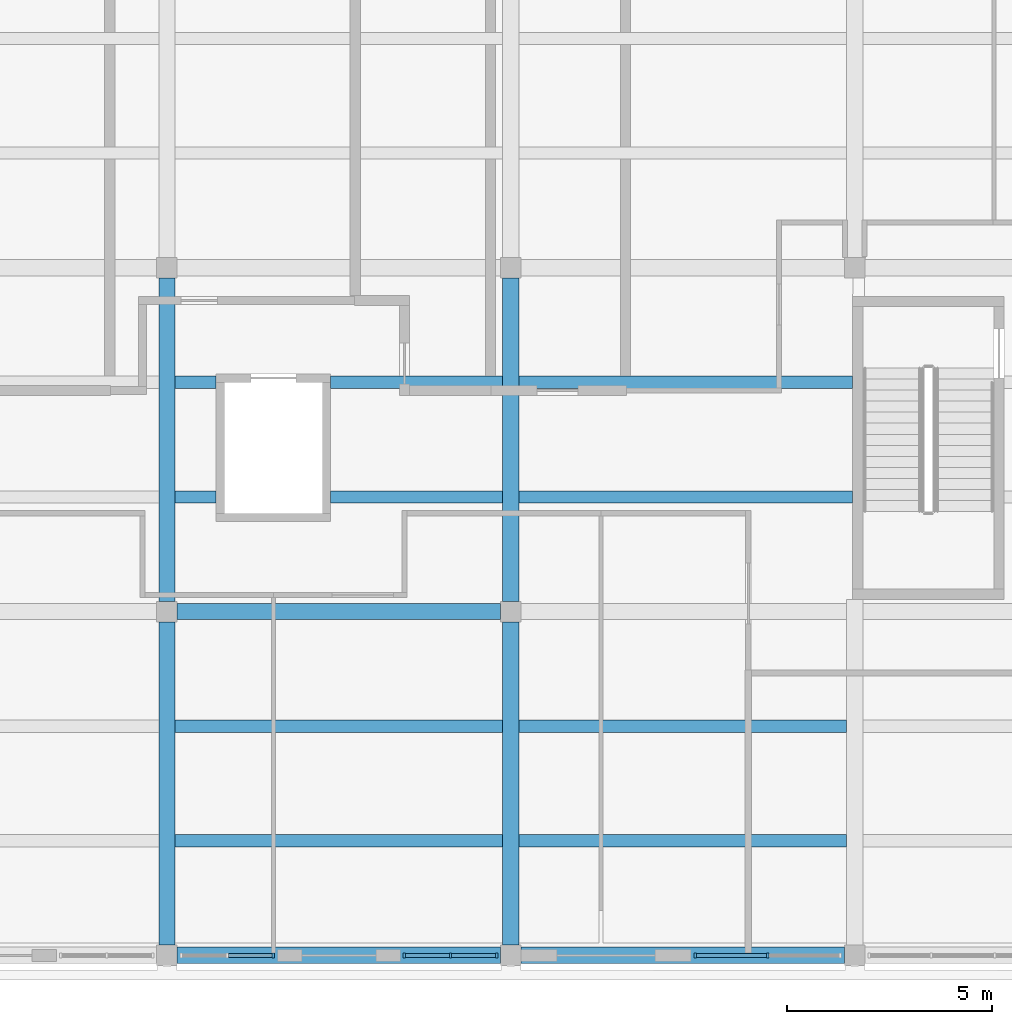
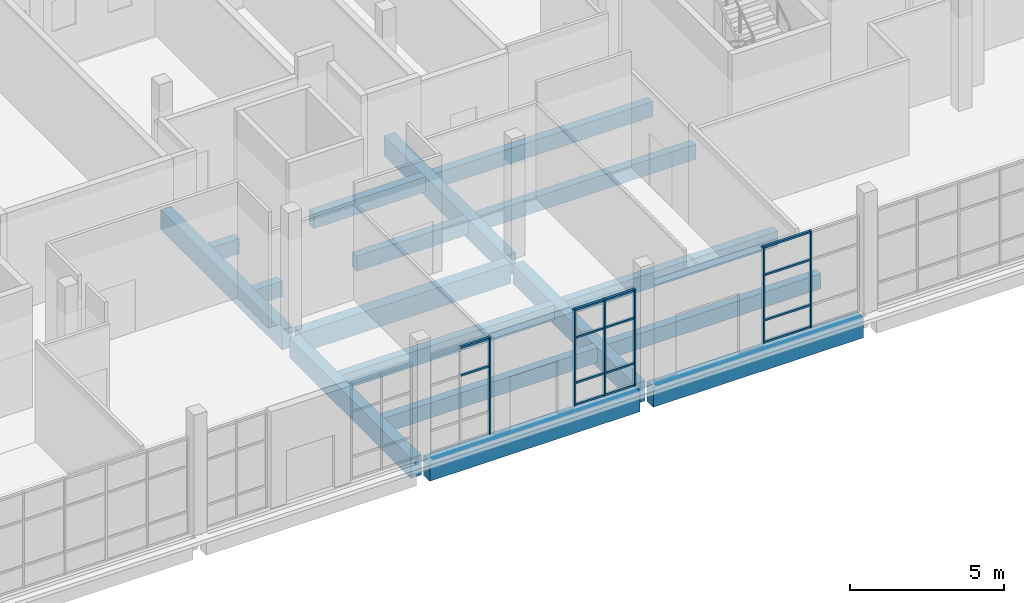
# One storey, part 7 of 110: 20 members, 17 beams, 3 elements without a shape of their own.
"""IFC4 building model written with IfcOpenShell, lengths in metres."""

from ifc_helpers import new_model, si_unit, direction, frame, origin, origin_2d, place, context, subcontext, project, spatial, rectangle, extrude, material, layer, layer_set, material_profile, profile_set, type_object, element, aggregate, save


model = new_model("IFC4")

# Units and contexts
model_context = context("Model", 3, precision=1e-05, world=origin(), true_north=direction((0.0, 1.0)))
body_context = subcontext(model_context, "Body", "Model", "MODEL_VIEW")
ifc_project = project(units=[si_unit("LENGTHUNIT", "METRE"), si_unit("AREAUNIT", "SQUARE_METRE"), si_unit("VOLUMEUNIT", "CUBIC_METRE"), si_unit("PLANEANGLEUNIT", "RADIAN"), si_unit("MASSUNIT", "GRAM", prefix="KILO")], contexts=[model_context])

# Site, building, storey
site_placement = place(None, origin())
site = spatial("IfcSite", under=ifc_project, at=site_placement, CompositionType="ELEMENT")
building_placement = place(site_placement, origin())
building = spatial("IfcBuilding", under=site, at=building_placement, Name="Larchfold Concert Hall", CompositionType="ELEMENT")
storey_placement = place(building_placement, origin())
storey = spatial("IfcBuildingStorey", under=building, at=storey_placement, Name="L00", CompositionType="ELEMENT", Elevation=0.0)

# Curtain wall, member
ifc_material_1 = material(Name="Anodised graphite aluminium curtain wall", Category="aluminium")
ifc_layer = layer(ifc_material_1, 0.1201171875)
ifc_layer_set = layer_set([ifc_layer], Name="Anodised graphite aluminium curtain wall")
curtain_wall_type = type_object("IfcCurtainWallType", Name="Curtain wall SF", PredefinedType="NOTDEFINED", material=ifc_layer_set)
curtain_wall_1_placement = place(storey_placement, origin())
curtain_wall_1 = element("IfcCurtainWall", 1, at=curtain_wall_1_placement, inside=storey, type_object=curtain_wall_type, Name="Curtain wall CW0297", PredefinedType="NOTDEFINED")
ifc_material_2 = material(Name="Anodised graphite aluminium mullion", Category="aluminium")
ifc_material_profile_1 = material_profile(ifc_material_2, rectangle(XDim=0.1201171875, YDim=0.06005859375, at=origin_2d()))
ifc_profile_set_1 = profile_set([ifc_material_profile_1], Name="Anodised graphite aluminium mullion")
member_type_1 = type_object("IfcMemberType", Name="Aluminium mullion 60x120", PredefinedType="MULLION", material=ifc_profile_set_1)
member_1_placement = place(storey_placement, frame((20.0, 0.60009765625, 0.0), z_axis=(0.0, 0.0, 1.0), x_axis=(0.0, 1.0, 0.0)))
member_1 = element("IfcMember", 2, at=member_1_placement, type_object=member_type_1, Name="CW0297 mullion 3", PredefinedType="MULLION", context=body_context, shape_type="SweptSolid", body=[
    extrude(rectangle(XDim=0.1201171875, YDim=0.06005859375, at=origin_2d()), origin(), (0.0, 0.0, 1.0), 3.840087890625),
])

# Curtain wall, members
curtain_wall_2_placement = place(storey_placement, origin())
curtain_wall_2 = element("IfcCurtainWall", 3, at=curtain_wall_2_placement, inside=storey, type_object=curtain_wall_type, Name="Curtain wall CW0298", PredefinedType="NOTDEFINED")
member_2_placement = place(storey_placement, frame((23.2001953125, 0.60009765625, 0.0), z_axis=(0.0, 0.0, 1.0), x_axis=(0.0, 1.0, 0.0)))
member_2 = element("IfcMember", 4, at=member_2_placement, type_object=member_type_1, Name="CW0298 mullion 1", PredefinedType="MULLION", context=body_context, shape_type="SweptSolid", body=[
    extrude(rectangle(XDim=0.1201171875, YDim=0.06005859375, at=origin_2d()), origin(), (0.0, 0.0, 1.0), 3.840087890625),
])
member_3_placement = place(storey_placement, frame((24.3251953125, 0.60009765625, 0.0), z_axis=(0.0, 0.0, 1.0), x_axis=(0.0, 1.0, 0.0)))
member_3 = element("IfcMember", 5, at=member_3_placement, type_object=member_type_1, Name="CW0298 mullion 2", PredefinedType="MULLION", context=body_context, shape_type="SweptSolid", body=[
    extrude(rectangle(XDim=0.1201171875, YDim=0.06005859375, at=origin_2d()), origin(), (0.0, 0.0, 1.0), 3.840087890625),
])
member_4_placement = place(storey_placement, frame((25.449951171875, 0.60009765625, 0.0), z_axis=(0.0, 0.0, 1.0), x_axis=(0.0, 1.0, 0.0)))
member_4 = element("IfcMember", 6, at=member_4_placement, type_object=member_type_1, Name="CW0298 mullion 3", PredefinedType="MULLION", context=body_context, shape_type="SweptSolid", body=[
    extrude(rectangle(XDim=0.1201171875, YDim=0.06005859375, at=origin_2d()), origin(), (0.0, 0.0, 1.0), 3.840087890625),
])

curtain_wall_3_placement = place(storey_placement, origin())
curtain_wall_3 = element("IfcCurtainWall", 7, at=curtain_wall_3_placement, inside=storey, type_object=curtain_wall_type, Name="Curtain wall CW0299", PredefinedType="NOTDEFINED")
member_5_placement = place(storey_placement, frame((30.300048828125, 0.60009765625, 0.0), z_axis=(0.0, 0.0, 1.0), x_axis=(0.0, 1.0, 0.0)))
member_5 = element("IfcMember", 8, at=member_5_placement, type_object=member_type_1, Name="CW0299 mullion 1", PredefinedType="MULLION", context=body_context, shape_type="SweptSolid", body=[
    extrude(rectangle(XDim=0.1201171875, YDim=0.06005859375, at=origin_2d()), origin(), (0.0, 0.0, 1.0), 3.840087890625),
])
member_6_placement = place(storey_placement, frame((32.074951171875, 0.60009765625, 0.0), z_axis=(0.0, 0.0, 1.0), x_axis=(0.0, 1.0, 0.0)))
member_6 = element("IfcMember", 9, at=member_6_placement, type_object=member_type_1, Name="CW0299 mullion 2", PredefinedType="MULLION", context=body_context, shape_type="SweptSolid", body=[
    extrude(rectangle(XDim=0.1201171875, YDim=0.06005859375, at=origin_2d()), origin(), (0.0, 0.0, 1.0), 3.840087890625),
])

# Member
ifc_material_3 = material(Name="Anodised graphite aluminium transom", Category="aluminium")
ifc_material_profile_2 = material_profile(ifc_material_3, rectangle(XDim=0.090087890625, YDim=0.070068359375, at=origin_2d()))
ifc_profile_set_2 = profile_set([ifc_material_profile_2], Name="Anodised graphite aluminium transom")
member_type_2 = type_object("IfcMemberType", Name="Aluminium transom 70x90", PredefinedType="USERDEFINED", material=ifc_profile_set_2)
member_7_placement = place(storey_placement, frame((18.905029296875, 0.60009765625, 2.699951171875), z_axis=(1.0, 0.0, 0.0), x_axis=(0.0, 1.0, 0.0)))
member_7 = element("IfcMember", 10, at=member_7_placement, type_object=member_type_2, Name="CW0297 transom 2.3", ObjectType="TRANSOM", PredefinedType="USERDEFINED", context=body_context, shape_type="SweptSolid", body=[
    extrude(rectangle(XDim=0.090087890625, YDim=0.070068359375, at=origin_2d()), origin(), (0.0, 0.0, 1.0), 1.06494140625),
])

member_8_placement = place(storey_placement, frame((18.905029296875, 0.60009765625, 3.80517578125), z_axis=(1.0, 0.0, 0.0), x_axis=(0.0, 1.0, 0.0)))
member_8 = element("IfcMember", 11, at=member_8_placement, type_object=member_type_2, Name="CW0297 transom 2.4", ObjectType="TRANSOM", PredefinedType="USERDEFINED", context=body_context, shape_type="SweptSolid", body=[
    extrude(rectangle(XDim=0.090087890625, YDim=0.070068359375, at=origin_2d()), origin(), (0.0, 0.0, 1.0), 1.06494140625),
])

aggregate(curtain_wall_1, [member_1, member_7, member_8])

member_9_placement = place(storey_placement, frame((23.230224609375, 0.60009765625, 0.034912109375), z_axis=(1.0, 0.0, 0.0), x_axis=(0.0, 1.0, 0.0)))
member_9 = element("IfcMember", 12, at=member_9_placement, type_object=member_type_2, Name="CW0298 transom 1.1", ObjectType="TRANSOM", PredefinedType="USERDEFINED", context=body_context, shape_type="SweptSolid", body=[
    extrude(rectangle(XDim=0.090087890625, YDim=0.070068359375, at=origin_2d()), origin(), (0.0, 0.0, 1.0), 1.06494140625),
])

member_10_placement = place(storey_placement, frame((23.230224609375, 0.60009765625, 0.89990234375), z_axis=(1.0, 0.0, 0.0), x_axis=(0.0, 1.0, 0.0)))
member_10 = element("IfcMember", 13, at=member_10_placement, type_object=member_type_2, Name="CW0298 transom 1.2", ObjectType="TRANSOM", PredefinedType="USERDEFINED", context=body_context, shape_type="SweptSolid", body=[
    extrude(rectangle(XDim=0.090087890625, YDim=0.070068359375, at=origin_2d()), origin(), (0.0, 0.0, 1.0), 1.06494140625),
])

member_11_placement = place(storey_placement, frame((23.230224609375, 0.60009765625, 2.699951171875), z_axis=(1.0, 0.0, 0.0), x_axis=(0.0, 1.0, 0.0)))
member_11 = element("IfcMember", 14, at=member_11_placement, type_object=member_type_2, Name="CW0298 transom 1.3", ObjectType="TRANSOM", PredefinedType="USERDEFINED", context=body_context, shape_type="SweptSolid", body=[
    extrude(rectangle(XDim=0.090087890625, YDim=0.070068359375, at=origin_2d()), origin(), (0.0, 0.0, 1.0), 1.06494140625),
])

member_12_placement = place(storey_placement, frame((23.230224609375, 0.60009765625, 3.80517578125), z_axis=(1.0, 0.0, 0.0), x_axis=(0.0, 1.0, 0.0)))
member_12 = element("IfcMember", 15, at=member_12_placement, type_object=member_type_2, Name="CW0298 transom 1.4", ObjectType="TRANSOM", PredefinedType="USERDEFINED", context=body_context, shape_type="SweptSolid", body=[
    extrude(rectangle(XDim=0.090087890625, YDim=0.070068359375, at=origin_2d()), origin(), (0.0, 0.0, 1.0), 1.06494140625),
])

member_13_placement = place(storey_placement, frame((24.35498046875, 0.60009765625, 0.034912109375), z_axis=(1.0, 0.0, 0.0), x_axis=(0.0, 1.0, 0.0)))
member_13 = element("IfcMember", 16, at=member_13_placement, type_object=member_type_2, Name="CW0298 transom 2.1", ObjectType="TRANSOM", PredefinedType="USERDEFINED", context=body_context, shape_type="SweptSolid", body=[
    extrude(rectangle(XDim=0.090087890625, YDim=0.070068359375, at=origin_2d()), origin(), (0.0, 0.0, 1.0), 1.06494140625),
])

member_14_placement = place(storey_placement, frame((24.35498046875, 0.60009765625, 0.89990234375), z_axis=(1.0, 0.0, 0.0), x_axis=(0.0, 1.0, 0.0)))
member_14 = element("IfcMember", 17, at=member_14_placement, type_object=member_type_2, Name="CW0298 transom 2.2", ObjectType="TRANSOM", PredefinedType="USERDEFINED", context=body_context, shape_type="SweptSolid", body=[
    extrude(rectangle(XDim=0.090087890625, YDim=0.070068359375, at=origin_2d()), origin(), (0.0, 0.0, 1.0), 1.06494140625),
])

member_15_placement = place(storey_placement, frame((24.35498046875, 0.60009765625, 2.699951171875), z_axis=(1.0, 0.0, 0.0), x_axis=(0.0, 1.0, 0.0)))
member_15 = element("IfcMember", 18, at=member_15_placement, type_object=member_type_2, Name="CW0298 transom 2.3", ObjectType="TRANSOM", PredefinedType="USERDEFINED", context=body_context, shape_type="SweptSolid", body=[
    extrude(rectangle(XDim=0.090087890625, YDim=0.070068359375, at=origin_2d()), origin(), (0.0, 0.0, 1.0), 1.06494140625),
])

member_16_placement = place(storey_placement, frame((24.35498046875, 0.60009765625, 3.80517578125), z_axis=(1.0, 0.0, 0.0), x_axis=(0.0, 1.0, 0.0)))
member_16 = element("IfcMember", 19, at=member_16_placement, type_object=member_type_2, Name="CW0298 transom 2.4", ObjectType="TRANSOM", PredefinedType="USERDEFINED", context=body_context, shape_type="SweptSolid", body=[
    extrude(rectangle(XDim=0.090087890625, YDim=0.070068359375, at=origin_2d()), origin(), (0.0, 0.0, 1.0), 1.06494140625),
])

aggregate(curtain_wall_2, [member_2, member_3, member_4, member_9, member_10, member_11, member_12, member_13, member_14, member_15, member_16])

member_17_placement = place(storey_placement, frame((30.330078125, 0.60009765625, 0.034912109375), z_axis=(1.0, 0.0, 0.0), x_axis=(0.0, 1.0, 0.0)))
member_17 = element("IfcMember", 20, at=member_17_placement, type_object=member_type_2, Name="CW0299 transom 1.1", ObjectType="TRANSOM", PredefinedType="USERDEFINED", context=body_context, shape_type="SweptSolid", body=[
    extrude(rectangle(XDim=0.090087890625, YDim=0.070068359375, at=origin_2d()), origin(), (0.0, 0.0, 1.0), 1.71484375),
])

member_18_placement = place(storey_placement, frame((30.330078125, 0.60009765625, 0.89990234375), z_axis=(1.0, 0.0, 0.0), x_axis=(0.0, 1.0, 0.0)))
member_18 = element("IfcMember", 21, at=member_18_placement, type_object=member_type_2, Name="CW0299 transom 1.2", ObjectType="TRANSOM", PredefinedType="USERDEFINED", context=body_context, shape_type="SweptSolid", body=[
    extrude(rectangle(XDim=0.090087890625, YDim=0.070068359375, at=origin_2d()), origin(), (0.0, 0.0, 1.0), 1.71484375),
])

member_19_placement = place(storey_placement, frame((30.330078125, 0.60009765625, 2.699951171875), z_axis=(1.0, 0.0, 0.0), x_axis=(0.0, 1.0, 0.0)))
member_19 = element("IfcMember", 22, at=member_19_placement, type_object=member_type_2, Name="CW0299 transom 1.3", ObjectType="TRANSOM", PredefinedType="USERDEFINED", context=body_context, shape_type="SweptSolid", body=[
    extrude(rectangle(XDim=0.090087890625, YDim=0.070068359375, at=origin_2d()), origin(), (0.0, 0.0, 1.0), 1.71484375),
])

member_20_placement = place(storey_placement, frame((30.330078125, 0.60009765625, 3.80517578125), z_axis=(1.0, 0.0, 0.0), x_axis=(0.0, 1.0, 0.0)))
member_20 = element("IfcMember", 23, at=member_20_placement, type_object=member_type_2, Name="CW0299 transom 1.4", ObjectType="TRANSOM", PredefinedType="USERDEFINED", context=body_context, shape_type="SweptSolid", body=[
    extrude(rectangle(XDim=0.090087890625, YDim=0.070068359375, at=origin_2d()), origin(), (0.0, 0.0, 1.0), 1.71484375),
])

aggregate(curtain_wall_3, [member_5, member_6, member_17, member_18, member_19, member_20])

# Beams
ifc_material_4 = material(Name="Concrete C35/45", Category="concrete")
ifc_material_profile_3 = material_profile(ifc_material_4, rectangle(XDim=0.300048828125, YDim=0.60009765625, at=origin_2d()))
ifc_profile_set_3 = profile_set([ifc_material_profile_3], Name="Concrete C35/45")
beam_type_1 = type_object("IfcBeamType", Name="Beam RC 300x600", PredefinedType="BEAM", material=ifc_profile_set_3)
for number, where, z_axis, x_axis, name in (
    (24, (17.60009765625, 3.39990234375, -0.4599609375), (1.0, 0.0, 0.0), (0.0, 1.0, 0.0), "Beam B0053"),
    (25, (26.0, 3.39990234375, -0.4599609375), (1.0, 0.0, 0.0), (0.0, 1.0, 0.0), "Beam B0054"),
    (26, (17.60009765625, 6.199951171875, -0.4599609375), (1.0, 0.0, 0.0), (0.0, 1.0, 0.0), "Beam B0060"),
    (27, (26.0, 6.199951171875, -0.4599609375), (1.0, 0.0, 0.0), (0.0, 1.0, 0.0), "Beam B0061"),
):
    element("IfcBeam", number, at=place(storey_placement, frame(where, z_axis=z_axis, x_axis=x_axis)), inside=storey, type_object=beam_type_1, Name=name, PredefinedType="BEAM", context=body_context, shape_type="SweptSolid", body=[
        extrude(rectangle(XDim=0.300048828125, YDim=0.60009765625, at=origin_2d()), origin(), (0.0, 0.0, 1.0), 8.0),
    ])
beam_1_placement = place(storey_placement, frame((17.60009765625, 11.800048828125, -0.4599609375), z_axis=(1.0, 0.0, 0.0), x_axis=(0.0, 1.0, 0.0)))
element("IfcBeam", 28, at=beam_1_placement, inside=storey, type_object=beam_type_1, Name="Beam B0068", PredefinedType="BEAM", context=body_context, shape_type="SweptSolid", body=[
    extrude(rectangle(XDim=0.300048828125, YDim=0.60009765625, at=origin_2d()), origin(), (0.0, 0.0, 1.0), 1.0),
])
beam_2_placement = place(storey_placement, frame((21.39990234375, 11.800048828125, -0.4599609375), z_axis=(1.0, 0.0, 0.0), x_axis=(0.0, 1.0, 0.0)))
element("IfcBeam", 29, at=beam_2_placement, inside=storey, type_object=beam_type_1, Name="Beam B0069", PredefinedType="BEAM", context=body_context, shape_type="SweptSolid", body=[
    extrude(rectangle(XDim=0.300048828125, YDim=0.60009765625, at=origin_2d()), origin(), (0.0, 0.0, 1.0), 4.2001953125),
])
beam_3_placement = place(storey_placement, frame((26.0, 11.800048828125, -0.4599609375), z_axis=(1.0, 0.0, 0.0), x_axis=(0.0, 1.0, 0.0)))
element("IfcBeam", 30, at=beam_3_placement, inside=storey, type_object=beam_type_1, Name="Beam B0070", PredefinedType="BEAM", context=body_context, shape_type="SweptSolid", body=[
    extrude(rectangle(XDim=0.300048828125, YDim=0.60009765625, at=origin_2d()), origin(), (0.0, 0.0, 1.0), 8.14990234375),
])
beam_4_placement = place(storey_placement, frame((17.60009765625, 14.60009765625, -0.4599609375), z_axis=(1.0, 0.0, 0.0), x_axis=(0.0, 1.0, 0.0)))
element("IfcBeam", 31, at=beam_4_placement, inside=storey, type_object=beam_type_1, Name="Beam B0077", PredefinedType="BEAM", context=body_context, shape_type="SweptSolid", body=[
    extrude(rectangle(XDim=0.300048828125, YDim=0.60009765625, at=origin_2d()), origin(), (0.0, 0.0, 1.0), 1.0),
])
beam_5_placement = place(storey_placement, frame((21.39990234375, 14.60009765625, -0.4599609375), z_axis=(1.0, 0.0, 0.0), x_axis=(0.0, 1.0, 0.0)))
element("IfcBeam", 32, at=beam_5_placement, inside=storey, type_object=beam_type_1, Name="Beam B0078", PredefinedType="BEAM", context=body_context, shape_type="SweptSolid", body=[
    extrude(rectangle(XDim=0.300048828125, YDim=0.60009765625, at=origin_2d()), origin(), (0.0, 0.0, 1.0), 4.2001953125),
])
beam_6_placement = place(storey_placement, frame((26.0, 14.60009765625, -0.4599609375), z_axis=(1.0, 0.0, 0.0), x_axis=(0.0, 1.0, 0.0)))
element("IfcBeam", 33, at=beam_6_placement, inside=storey, type_object=beam_type_1, Name="Beam B0079", PredefinedType="BEAM", context=body_context, shape_type="SweptSolid", body=[
    extrude(rectangle(XDim=0.300048828125, YDim=0.60009765625, at=origin_2d()), origin(), (0.0, 0.0, 1.0), 8.14990234375),
])
ifc_material_5 = material(Name="Concrete C35/45", Category="concrete")
ifc_material_profile_4 = material_profile(ifc_material_5, rectangle(XDim=0.39990234375, YDim=0.800048828125, at=origin_2d()))
ifc_profile_set_4 = profile_set([ifc_material_profile_4], Name="Concrete C35/45")
beam_type_2 = type_object("IfcBeamType", Name="Beam RC 400x800", PredefinedType="BEAM", material=ifc_profile_set_4)
for number, where, z_axis, x_axis, name in (
    (34, (17.39990234375, 0.85009765625, -0.56005859375), (0.0, 1.0, 0.0), (-1.0, 0.0, 0.0), "Beam B0007"),
    (35, (17.39990234375, 9.25, -0.56005859375), (0.0, 1.0, 0.0), (-1.0, 0.0, 0.0), "Beam B0008"),
    (36, (25.800048828125, 0.85009765625, -0.56005859375), (0.0, 1.0, 0.0), (-1.0, 0.0, 0.0), "Beam B0010"),
    (37, (25.800048828125, 9.25, -0.56005859375), (0.0, 1.0, 0.0), (-1.0, 0.0, 0.0), "Beam B0011"),
):
    element("IfcBeam", number, at=place(storey_placement, frame(where, z_axis=z_axis, x_axis=x_axis)), inside=storey, type_object=beam_type_2, Name=name, PredefinedType="BEAM", context=body_context, shape_type="SweptSolid", body=[
        extrude(rectangle(XDim=0.39990234375, YDim=0.800048828125, at=origin_2d()), origin(), (0.0, 0.0, 1.0), 7.89990234375),
    ])
beam_7_placement = place(storey_placement, frame((17.64990234375, 0.60009765625, -0.56005859375), z_axis=(1.0, 0.0, 0.0), x_axis=(0.0, 1.0, 0.0)))
element("IfcBeam", 38, at=beam_7_placement, inside=storey, type_object=beam_type_2, Name="Beam B0026", PredefinedType="BEAM", context=body_context, shape_type="SweptSolid", body=[
    extrude(rectangle(XDim=0.39990234375, YDim=0.800048828125, at=origin_2d()), origin(), (0.0, 0.0, 1.0), 7.900146484375),
])
beam_8_placement = place(storey_placement, frame((26.050048828125, 0.60009765625, -0.56005859375), z_axis=(1.0, 0.0, 0.0), x_axis=(0.0, 1.0, 0.0)))
element("IfcBeam", 39, at=beam_8_placement, inside=storey, type_object=beam_type_2, Name="Beam B0027", PredefinedType="BEAM", context=body_context, shape_type="SweptSolid", body=[
    extrude(rectangle(XDim=0.39990234375, YDim=0.800048828125, at=origin_2d()), origin(), (0.0, 0.0, 1.0), 7.89990234375),
])
beam_9_placement = place(storey_placement, frame((17.64990234375, 9.0, -0.56005859375), z_axis=(1.0, 0.0, 0.0), x_axis=(0.0, 1.0, 0.0)))
element("IfcBeam", 40, at=beam_9_placement, inside=storey, type_object=beam_type_2, Name="Beam B0033", PredefinedType="BEAM", context=body_context, shape_type="SweptSolid", body=[
    extrude(rectangle(XDim=0.39990234375, YDim=0.800048828125, at=origin_2d()), origin(), (0.0, 0.0, 1.0), 7.900146484375),
])

save(model, "model.ifc")
